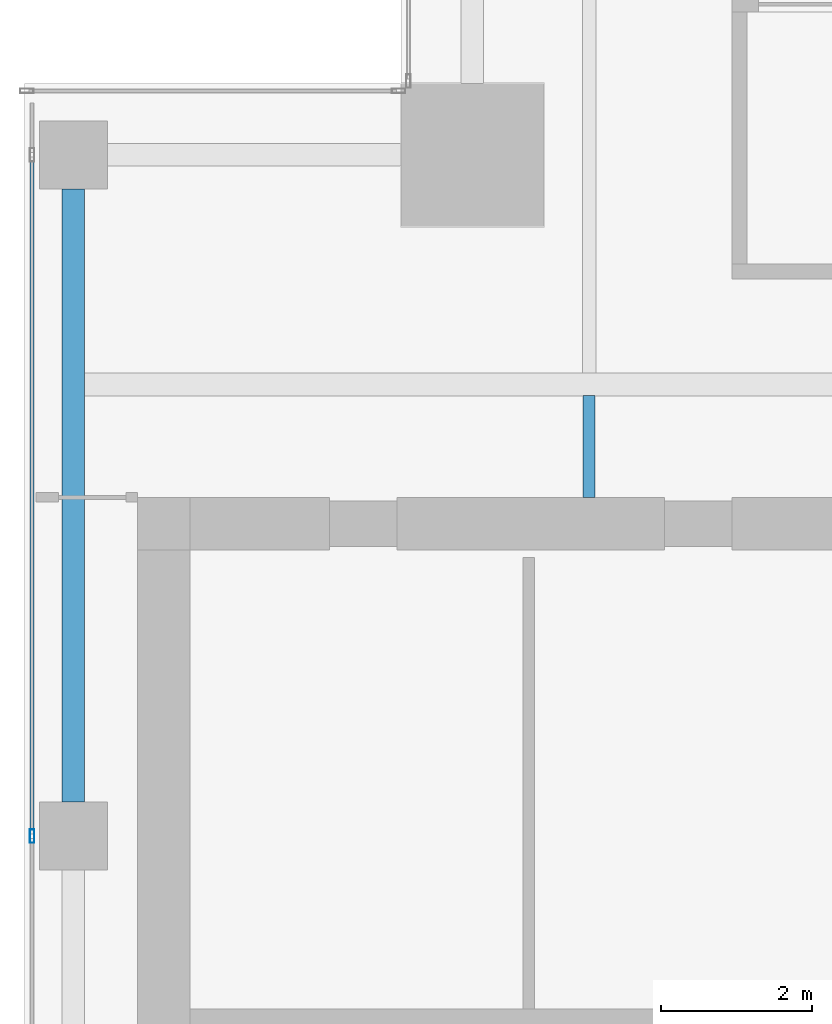
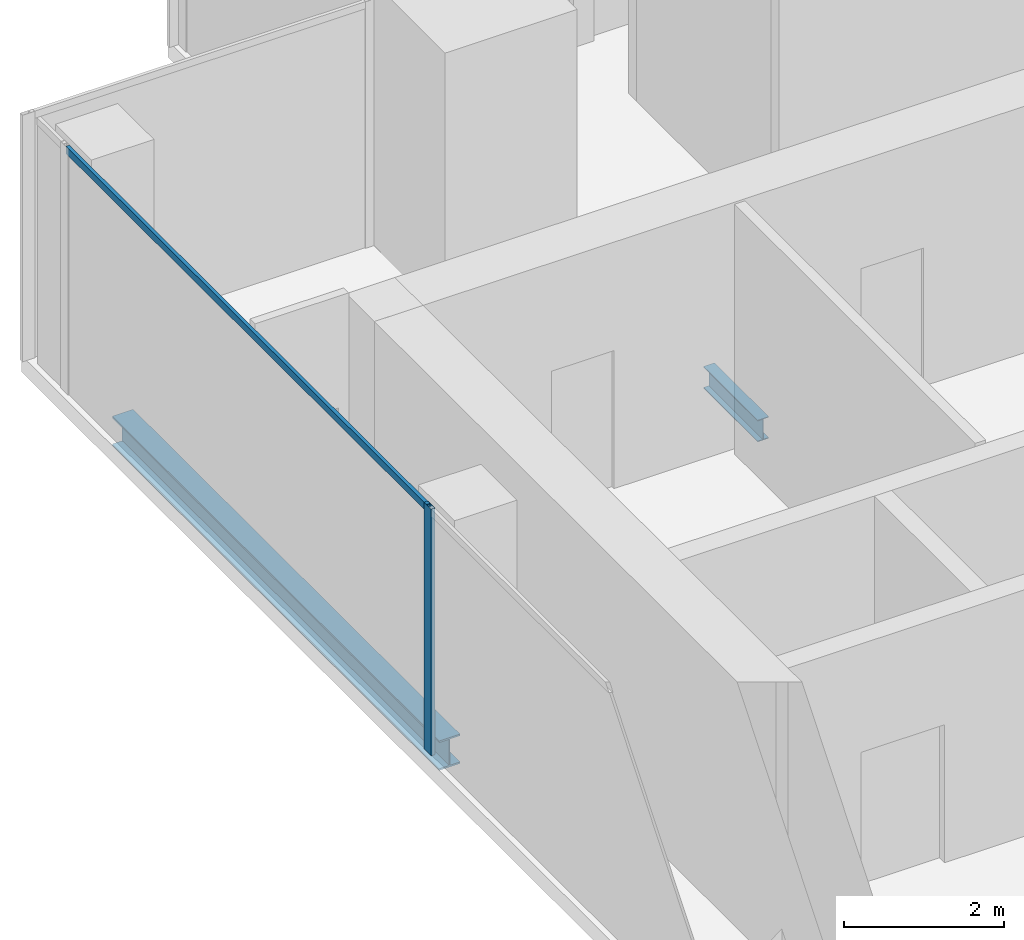
# One storey, part 15 of 36: 2 beams, 2 members, 1 element without a shape of its own.
"""IFC4 building model written with IfcOpenShell, lengths in metres."""

import ifcopenshell
import ifcopenshell.guid

model = None  # the IFC model being written
_history = None  # IfcOwnerHistory: only IFC2X3 demands one
_inside = {}  # id of a spatial element -> (the spatial element, [elements in it])
_under = {}  # id of a project, library or spatial element -> (it, [spatial elements below it])
_declared = {}  # id of a project -> (the project, [libraries it declares])
_typed = {}  # id of a type object -> (the type object, [elements of that type])
_made_of = {}  # id of a material, layer set ... -> (it, [elements and type objects made of it])


def new_model(schema):
    """Start an empty IFC model of exactly this schema.

    Asked for "IFC4X3", IfcOpenShell would pick the latest addendum, in which some entities
    have other attributes; the version numbers below select the first issue.
    IFC2X3 requires an IfcOwnerHistory on every rooted entity: one is made here for all.
    """
    global model, _history
    if schema == "IFC4X3":
        model = ifcopenshell.file(schema_version=(4, 3, 0, 0))
    else:
        model = ifcopenshell.file(schema=schema)
    _inside.clear()
    _under.clear()
    _declared.clear()
    _typed.clear()
    _made_of.clear()
    _history = None
    if model.schema == "IFC2X3":
        org = make("IfcOrganization", Name="unknown")
        user = make(
            "IfcPersonAndOrganization",
            ThePerson=make("IfcPerson", FamilyName="unknown"),
            TheOrganization=org,
        )
        app = make(
            "IfcApplication",
            ApplicationDeveloper=org,
            Version="unknown",
            ApplicationFullName="unknown",
            ApplicationIdentifier="unknown",
        )
        _history = make(
            "IfcOwnerHistory",
            OwningUser=user,
            OwningApplication=app,
            ChangeAction="ADDED",
            CreationDate=0,
        )
    return model


def make(cls, **values):
    """One entity of the class cls with the attributes given. An attribute that is None is left unset."""
    return model.create_entity(
        cls, **{name: value for name, value in values.items() if value is not None}
    )


def rooted(cls, **values):
    """An entity with a GlobalId (a new one), such as an element, a storey or a relation."""
    return make(cls, GlobalId=ifcopenshell.guid.new(), OwnerHistory=_history, **values)


def si_unit(unit_type, name, prefix=None):
    """IfcSIUnit, for example si_unit("LENGTHUNIT", "METRE", prefix="MILLI")."""
    return make("IfcSIUnit", UnitType=unit_type, Prefix=prefix, Name=name)


def assignment(units):
    """IfcUnitAssignment: the units of a project."""
    return None if units is None else make("IfcUnitAssignment", Units=units)


def point(xyz):
    """IfcCartesianPoint."""
    return None if xyz is None else make("IfcCartesianPoint", Coordinates=xyz)


def direction(xyz):
    """IfcDirection."""
    return None if xyz is None else make("IfcDirection", DirectionRatios=xyz)


def frame(location, z_axis=None, x_axis=None):
    """IfcAxis2Placement3D, a coordinate frame: its origin and axes. An axis left out is left unset."""
    return make(
        "IfcAxis2Placement3D",
        Location=point(location),
        Axis=direction(z_axis),
        RefDirection=direction(x_axis),
    )


def frame_2d(location, x_axis=None):
    """IfcAxis2Placement2D, a coordinate frame in the plane: its origin and x axis."""
    return make(
        "IfcAxis2Placement2D", Location=point(location), RefDirection=direction(x_axis)
    )


def origin():
    """The frame at (0, 0, 0) with its axes left unset."""
    return frame((0.0, 0.0, 0.0))


def origin_2d():
    """The frame at (0, 0) in the plane with its x axis left unset."""
    return frame_2d((0.0, 0.0))


def place(relative_to, where):
    """IfcLocalPlacement: puts the frame where relative to a parent placement (None: the world)."""
    return make(
        "IfcLocalPlacement", PlacementRelTo=relative_to, RelativePlacement=where
    )


def context(
    kind, dimensions, precision=None, world=None, true_north=None, identifier=None
):
    """IfcGeometricRepresentationContext, for example the 3D "Model" context."""
    return make(
        "IfcGeometricRepresentationContext",
        ContextIdentifier=identifier,
        ContextType=kind,
        CoordinateSpaceDimension=dimensions,
        Precision=precision,
        WorldCoordinateSystem=world,
        TrueNorth=true_north,
    )


def subcontext(parent, identifier, kind, view, scale=None):
    """IfcGeometricRepresentationSubContext, for example "Body" below "Model"."""
    return make(
        "IfcGeometricRepresentationSubContext",
        ContextIdentifier=identifier,
        ContextType=kind,
        ParentContext=parent,
        TargetScale=scale,
        TargetView=view,
    )


def project(units=None, contexts=None):
    """IfcProject with its units and contexts."""
    return rooted(
        "IfcProject",
        Name="project",
        RepresentationContexts=contexts,
        UnitsInContext=assignment(units),
    )


def spatial(cls, under=None, at=None, **own):
    """A site, building, storey or space (cls), placed at a placement, below another one or the project."""
    s = rooted(cls, ObjectPlacement=at, **own)
    if under is not None:
        _under.setdefault(under.id(), (under, []))[1].append(s)
    return s


def profile(cls, at=None, kind="AREA", **sizes):
    """A parametric profile (cls). Its sizes go by their IFC names, for example OverallWidth=200.0."""
    return make(cls, ProfileType=kind, Position=at, **sizes)


def hollow_rectangle(**sizes):
    """IfcRectangleHollowProfileDef."""
    return profile("IfcRectangleHollowProfileDef", **sizes)


def i_section(**sizes):
    """IfcIShapeProfileDef."""
    return profile("IfcIShapeProfileDef", **sizes)


def extrude(swept, where, along, depth):
    """IfcExtrudedAreaSolid: the profile swept, set in the frame where, extruded along a direction by depth."""
    return make(
        "IfcExtrudedAreaSolid",
        SweptArea=swept,
        Position=where,
        ExtrudedDirection=direction(along),
        Depth=depth,
    )


def shape(context_of_items, identifier, shape_type, items):
    """IfcShapeRepresentation: the items that make up one representation, for example the "Body"."""
    return make(
        "IfcShapeRepresentation",
        ContextOfItems=context_of_items,
        RepresentationIdentifier=identifier,
        RepresentationType=shape_type,
        Items=items,
    )


def source(mapping_origin, context_of_items, identifier, shape_type, items):
    """IfcRepresentationMap: a shape defined once, which mapped items show again and again."""
    return make(
        "IfcRepresentationMap",
        MappingOrigin=mapping_origin,
        MappedRepresentation=shape(context_of_items, identifier, shape_type, items),
    )


def transform(
    local_origin,
    x_axis=None,
    y_axis=None,
    z_axis=None,
    scale=None,
    scale2=None,
    scale3=None,
    uniform=True,
):
    """IfcCartesianTransformationOperator3D, or its non-uniform kind. x_axis, y_axis, z_axis: its Axis1, 2, 3."""
    if uniform:
        return make(
            "IfcCartesianTransformationOperator3D",
            Axis1=direction(x_axis),
            Axis2=direction(y_axis),
            LocalOrigin=point(local_origin),
            Scale=scale,
            Axis3=direction(z_axis),
        )
    return make(
        "IfcCartesianTransformationOperator3DnonUniform",
        Axis1=direction(x_axis),
        Axis2=direction(y_axis),
        LocalOrigin=point(local_origin),
        Scale=scale,
        Axis3=direction(z_axis),
        Scale2=scale2,
        Scale3=scale3,
    )


def mapped(mapping_source, mapping_target):
    """IfcMappedItem: shows the shape of a source again, moved by a transform."""
    return make(
        "IfcMappedItem", MappingSource=mapping_source, MappingTarget=mapping_target
    )


def material(Name=None, Category=None):
    """IfcMaterial."""
    return make("IfcMaterial", Name=Name, Category=Category)


def material_profile(
    of_material, cross_section, Name=None, Category=None, Priority=None
):
    """IfcMaterialProfile: a cross section and its material."""
    return make(
        "IfcMaterialProfile",
        Name=Name,
        Material=of_material,
        Profile=cross_section,
        Priority=Priority,
        Category=Category,
    )


def profile_set(profiles, Name=None, composite=None):
    """IfcMaterialProfileSet."""
    return make(
        "IfcMaterialProfileSet",
        Name=Name,
        MaterialProfiles=profiles,
        CompositeProfile=composite,
    )


def made_of(thing, what):
    """Note that an element or type object is made of a material, layer set ...; save() writes the relation."""
    if what is not None:
        _made_of.setdefault(what.id(), (what, []))[1].append(thing)
    return thing


def type_object(cls, material=None, **own):
    """A type object (cls), such as IfcWallType, which elements share."""
    return made_of(rooted(cls, **own), material)


def element(
    cls,
    number,
    at=None,
    inside=None,
    cuts=None,
    type_object=None,
    material=None,
    context=None,
    identifier="Body",
    shape_type=None,
    held_by="IfcProductDefinitionShape",
    body=None,
    shapes=None,
    **own,
):
    """One element of the class cls, such as IfcWall. Its Tag is "e" and its number.

    at: its placement. inside: the storey or other place that contains it. cuts: it is an
    opening in that element (IfcRelVoidsElement). A single representation is given by context,
    identifier, shape_type and body (its items); several are given by shapes. held_by: the class
    of the entity that holds the representations. save() writes the other relations.
    """
    e = rooted(cls, Tag="e%d" % number, ObjectPlacement=at, **own)
    if body is not None:
        shapes = [shape(context, identifier, shape_type, body)]
    if shapes is not None:
        e.Representation = make(held_by, Representations=shapes)
    if inside is not None:
        _inside.setdefault(inside.id(), (inside, []))[1].append(e)
    if cuts is not None:
        rooted(
            "IfcRelVoidsElement", RelatingBuildingElement=cuts, RelatedOpeningElement=e
        )
    if type_object is not None:
        _typed.setdefault(type_object.id(), (type_object, []))[1].append(e)
    return made_of(e, material)


def aggregate(whole, parts):
    """IfcRelAggregates: a whole, such as a stair, and the parts it consists of."""
    return rooted("IfcRelAggregates", RelatingObject=whole, RelatedObjects=parts)


def save(model, path):
    """Write the relations noted so far, then the file.

    IfcRelAggregates (storeys below a building ...), IfcRelContainedInSpatialStructure (elements
    in a storey), IfcRelDefinesByType, IfcRelAssociatesMaterial and IfcRelDeclares: one each for
    every whole, place, type object, material and project.
    """
    for whole, parts in _under.values():
        aggregate(whole, parts)
    for where, things in _inside.values():
        rooted(
            "IfcRelContainedInSpatialStructure",
            RelatedElements=things,
            RelatingStructure=where,
        )
    for kind, things in _typed.values():
        rooted("IfcRelDefinesByType", RelatedObjects=things, RelatingType=kind)
    for what, things in _made_of.values():
        rooted("IfcRelAssociatesMaterial", RelatedObjects=things, RelatingMaterial=what)
    for by, libraries in _declared.values():
        rooted("IfcRelDeclares", RelatingContext=by, RelatedDefinitions=libraries)
    model.write(path)


model = new_model("IFC4")

# Units and contexts
model_context = context("Model", 3, precision=1e-05, world=origin(), true_north=direction((0.0, 1.0)))
body_context = subcontext(model_context, "Body", "Model", "MODEL_VIEW")
ifc_project = project(units=[si_unit("LENGTHUNIT", "METRE"), si_unit("AREAUNIT", "SQUARE_METRE"), si_unit("VOLUMEUNIT", "CUBIC_METRE"), si_unit("PLANEANGLEUNIT", "RADIAN"), si_unit("MASSUNIT", "GRAM", prefix="KILO")], contexts=[model_context])

# Site, building, storey
site_placement = place(None, origin())
site = spatial("IfcSite", under=ifc_project, at=site_placement, CompositionType="ELEMENT")
building_placement = place(site_placement, origin())
building = spatial("IfcBuilding", under=site, at=building_placement, Name="Khomas Fold Tower", CompositionType="ELEMENT")
storey_placement = place(building_placement, frame((0.0, 0.0, 238.199951171875)))
storey = spatial("IfcBuildingStorey", under=building, at=storey_placement, Name="L53", CompositionType="ELEMENT", Elevation=238.199951171875)

# Beams
ifc_material_1 = material(Name="Steel S355", Category="steel")
ifc_material_profile_1 = material_profile(ifc_material_1, i_section(OverallWidth=0.159912109375, OverallDepth=0.330078125, WebThickness=0.007568359375, FlangeThickness=0.011474609375, at=origin_2d()), Name="IPE 330")
ifc_profile_set_1 = profile_set([ifc_material_profile_1], Name="Steel S355")
beam_type_1 = type_object("IfcBeamType", Name="IPE 330 beam JB1", PredefinedType="BEAM", material=ifc_profile_set_1)
shared_shape_1 = source(origin(), body_context, "Body", "SweptSolid", [
    extrude(i_section(OverallWidth=0.159912109375, OverallDepth=0.330078125, WebThickness=0.007568359375, FlangeThickness=0.011474609375, at=origin_2d()), origin(), (0.0, 0.0, 1.0), 1.35009765625),
])
beam_1_placement = place(storey_placement, frame((12.0, 39.0, -0.4150390625), z_axis=(0.0, 1.0, 0.0), x_axis=(-1.0, 0.0, 0.0)))
element("IfcBeam", 1, at=beam_1_placement, inside=storey, type_object=beam_type_1, Name="JB1", PredefinedType="BEAM", context=body_context, shape_type="MappedRepresentation", body=[
    mapped(shared_shape_1, transform((0.0, 0.0, 0.0))),
])
ifc_material_2 = material(Name="Steel S355", Category="steel")
ifc_material_profile_2 = material_profile(ifc_material_2, i_section(OverallWidth=0.300048828125, OverallDepth=0.449951171875, WebThickness=0.013916015625, FlangeThickness=0.02587890625, at=origin_2d()), Name="HE 450 B")
ifc_profile_set_2 = profile_set([ifc_material_profile_2], Name="Steel S355")
beam_type_2 = type_object("IfcBeamType", Name="HE 450 B spandrel SB4", PredefinedType="SPANDREL", material=ifc_profile_set_2)
shared_shape_2 = source(origin(), body_context, "Body", "SweptSolid", [
    extrude(i_section(OverallWidth=0.300048828125, OverallDepth=0.449951171875, WebThickness=0.013916015625, FlangeThickness=0.02587890625, at=origin_2d()), origin(), (0.0, 0.0, 1.0), 8.150146484375),
])
beam_2_placement = place(storey_placement, frame((5.14990234375, 34.949951171875, -0.474853515625), z_axis=(0.0, 1.0, 0.0), x_axis=(-1.0, 0.0, 0.0)))
element("IfcBeam", 2, at=beam_2_placement, inside=storey, type_object=beam_type_2, Name="SB4", PredefinedType="SPANDREL", context=body_context, shape_type="MappedRepresentation", body=[
    mapped(shared_shape_2, transform((0.0, 0.0, 0.0))),
])

# Curtain wall, members
ifc_material_3 = material(Name="Aluminium framed double glazing", Category="aluminium")
curtain_wall_type = type_object("IfcCurtainWallType", Name="SK-Unitised clear-glass wall, office floors CW2", PredefinedType="NOTDEFINED", material=ifc_material_3)
curtain_wall_placement = place(storey_placement, origin())
curtain_wall = element("IfcCurtainWall", 3, at=curtain_wall_placement, inside=storey, type_object=curtain_wall_type, Name="CW2 run L53 09-0", PredefinedType="NOTDEFINED")
ifc_material_4 = material(Name="Aluminium", Category="aluminium")
ifc_material_profile_3 = material_profile(ifc_material_4, hollow_rectangle(XDim=0.06005859375, YDim=0.179931640625, WallThickness=0.00390625, at=origin_2d()), Name="SK-Unitised clear-glass wall, office floors mullion CW2-M")
ifc_profile_set_3 = profile_set([ifc_material_profile_3], Name="Aluminium")
member_type_1 = type_object("IfcMemberType", Name="SK-Unitised clear-glass wall, office floors mullion CW2-M", PredefinedType="MULLION", material=ifc_profile_set_3)
shared_shape_3 = source(origin(), body_context, "Body", "SweptSolid", [
    extrude(hollow_rectangle(XDim=0.06005859375, YDim=0.179931640625, WallThickness=0.00390625, at=origin_2d()), origin(), (0.0, 0.0, 1.0), 3.75),
])
member_1_placement = place(storey_placement, frame((4.60009765625, 34.5, 0.0), z_axis=(0.0, 0.0, 1.0), x_axis=(1.0, 0.0, 0.0)))
member_1 = element("IfcMember", 4, at=member_1_placement, type_object=member_type_1, Name="CW2 mullion 3", PredefinedType="MULLION", context=body_context, shape_type="MappedRepresentation", body=[
    mapped(shared_shape_3, transform((0.0, 0.0, 0.0))),
])
ifc_material_5 = material(Name="Aluminium", Category="aluminium")
ifc_material_profile_4 = material_profile(ifc_material_5, hollow_rectangle(XDim=0.050048828125, YDim=0.110107421875, WallThickness=0.00390625, at=origin_2d()), Name="SK-Unitised clear-glass wall, office floors transom CW2-T")
ifc_profile_set_4 = profile_set([ifc_material_profile_4], Name="Aluminium")
member_type_2 = type_object("IfcMemberType", Name="SK-Unitised clear-glass wall, office floors transom CW2-T", PredefinedType="USERDEFINED", material=ifc_profile_set_4)
shared_shape_4 = source(origin(), body_context, "Body", "SweptSolid", [
    extrude(hollow_rectangle(XDim=0.050048828125, YDim=0.110107421875, WallThickness=0.00390625, at=origin_2d()), origin(), (0.0, 0.0, 1.0), 8.989990234375),
])
member_2_placement = place(storey_placement, frame((4.60009765625, 43.52001953125, 3.695068359375), z_axis=(0.0, -1.0, 0.0), x_axis=(1.0, 0.0, 0.0)))
member_2 = element("IfcMember", 5, at=member_2_placement, type_object=member_type_2, Name="CW2 transom 2", ObjectType="TRANSOM", PredefinedType="USERDEFINED", context=body_context, shape_type="MappedRepresentation", body=[
    mapped(shared_shape_4, transform((0.0, 0.0, 0.0))),
])
aggregate(curtain_wall, [member_1, member_2])

save(model, "model.ifc")
